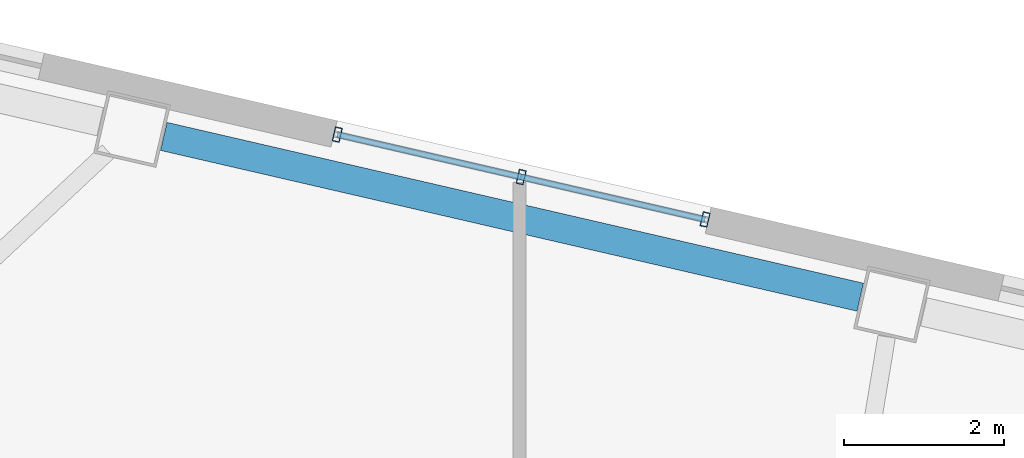
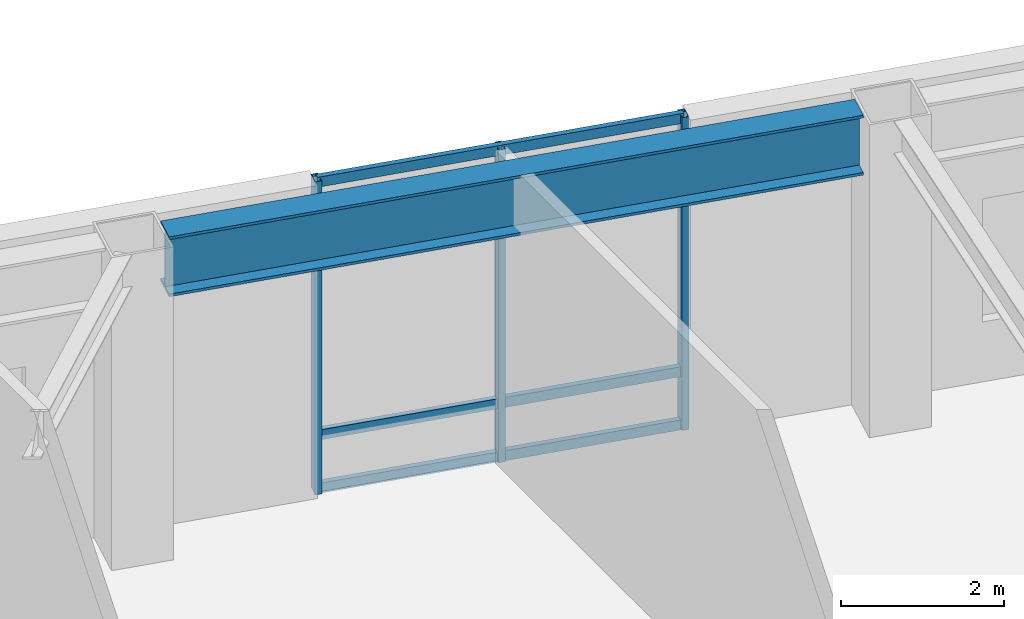
# One storey, part 6 of 21: 6 members, 1 beam, 1 element without a shape of its own.
"""IFC4 building model written with IfcOpenShell, lengths in metres."""

from ifc_helpers import new_model, si_unit, direction, frame, origin, origin_2d, place, context, subcontext, project, spatial, hollow_rectangle, i_section, extrude, material, layer, layer_set, material_profile, profile_set, type_object, element, aggregate, save


model = new_model("IFC4")

# Units and contexts
model_context = context("Model", 3, precision=1e-05, world=origin(), true_north=direction((0.0, 1.0)))
body_context = subcontext(model_context, "Body", "Model", "MODEL_VIEW")
ifc_project = project(units=[si_unit("LENGTHUNIT", "METRE"), si_unit("AREAUNIT", "SQUARE_METRE"), si_unit("VOLUMEUNIT", "CUBIC_METRE"), si_unit("PLANEANGLEUNIT", "RADIAN"), si_unit("MASSUNIT", "GRAM", prefix="KILO")], contexts=[model_context])

# Site, building, storey
site_placement = place(None, origin())
site = spatial("IfcSite", under=ifc_project, at=site_placement, CompositionType="ELEMENT")
building_placement = place(site_placement, origin())
building = spatial("IfcBuilding", under=site, at=building_placement, Name="Tavrogorsk Clinical Tower", CompositionType="ELEMENT")
storey_placement = place(building_placement, frame((0.0, 0.0, 8.39990234375)))
storey = spatial("IfcBuildingStorey", under=building, at=storey_placement, Name="L01", CompositionType="ELEMENT", Elevation=8.39990234375)

# Curtain wall, members
ifc_material_1 = material(Name="Anodised aluminium and triple IGU glazing", Category="aluminium")
ifc_layer = layer(ifc_material_1, 0.179931640625)
ifc_layer_set = layer_set([ifc_layer], Name="Anodised aluminium and triple IGU glazing")
curtain_wall_type = type_object("IfcCurtainWallType", Name="CW2_NorthSlot", PredefinedType="NOTDEFINED", material=ifc_layer_set)
curtain_wall_placement = place(storey_placement, origin())
curtain_wall = element("IfcCurtainWall", 1, at=curtain_wall_placement, inside=storey, type_object=curtain_wall_type, Name="L01 Curtain Wall CW-L01-N-SLOT-1", PredefinedType="NOTDEFINED")
ifc_material_2 = material(Name="Anodised aluminium alloy AW-6060", Category="aluminium")
ifc_material_profile_1 = material_profile(ifc_material_2, hollow_rectangle(XDim=0.090087890625, YDim=0.179931640625, WallThickness=0.00634765625, at=origin_2d()), Name="RHS-180x90x6.3")
ifc_profile_set_1 = profile_set([ifc_material_profile_1], Name="Anodised aluminium alloy AW-6060")
member_type_1 = type_object("IfcMemberType", Name="CwMullion_180x90", PredefinedType="MULLION", material=ifc_profile_set_1)
member_1_placement = place(storey_placement, frame((-3.879638671875, 24.640625, 0.0), z_axis=(0.0, 0.0, 1.0), x_axis=(-0.974370102963, 0.224950888978, 0.0)))
member_1 = element("IfcMember", 2, at=member_1_placement, type_object=member_type_1, Name="CW-L01-N-SLOT-1 Mullion 1", PredefinedType="MULLION", context=body_context, shape_type="SweptSolid", body=[
    extrude(hollow_rectangle(XDim=0.090087890625, YDim=0.179931640625, WallThickness=0.00634765625, at=origin_2d()), origin(), (0.0, 0.0, 1.0), 4.7001953125),
])
member_2_placement = place(storey_placement, frame((-6.17822265625, 25.171142578125, 0.0), z_axis=(0.0, 0.0, 1.0), x_axis=(-0.974370102963, 0.224950888978, 0.0)))
member_2 = element("IfcMember", 3, at=member_2_placement, type_object=member_type_1, Name="CW-L01-N-SLOT-1 Mullion 2", PredefinedType="MULLION", context=body_context, shape_type="SweptSolid", body=[
    extrude(hollow_rectangle(XDim=0.090087890625, YDim=0.179931640625, WallThickness=0.00634765625, at=origin_2d()), origin(), (0.0, 0.0, 1.0), 4.7001953125),
])
member_3_placement = place(storey_placement, frame((-8.476806640625, 25.701904296875, 0.0), z_axis=(0.0, 0.0, 1.0), x_axis=(-0.974370102963, 0.224950888978, 0.0)))
member_3 = element("IfcMember", 4, at=member_3_placement, type_object=member_type_1, Name="CW-L01-N-SLOT-1 Mullion 3", PredefinedType="MULLION", context=body_context, shape_type="SweptSolid", body=[
    extrude(hollow_rectangle(XDim=0.090087890625, YDim=0.179931640625, WallThickness=0.00634765625, at=origin_2d()), origin(), (0.0, 0.0, 1.0), 4.7001953125),
])
ifc_material_3 = material(Name="Anodised aluminium alloy AW-6060", Category="aluminium")
ifc_material_profile_2 = material_profile(ifc_material_3, hollow_rectangle(XDim=0.074951171875, YDim=0.14990234375, WallThickness=0.0048828125, at=origin_2d()), Name="RHS-150x75x5")
ifc_profile_set_2 = profile_set([ifc_material_profile_2], Name="Anodised aluminium alloy AW-6060")
member_type_2 = type_object("IfcMemberType", Name="CwTransom_150x75", PredefinedType="USERDEFINED", material=ifc_profile_set_2)
member_4_placement = place(storey_placement, frame((-3.879638671875, 24.640625, 0.050048828125), z_axis=(-0.974372877948, 0.22493886885, 0.0), x_axis=(-0.22493886885, -0.974372877948, 0.0)))
member_4 = element("IfcMember", 5, at=member_4_placement, type_object=member_type_2, Name="CW-L01-N-SLOT-1 Transom 1", ObjectType="TRANSOM", PredefinedType="USERDEFINED", context=body_context, shape_type="SweptSolid", body=[
    extrude(hollow_rectangle(XDim=0.074951171875, YDim=0.14990234375, WallThickness=0.0048828125, at=origin_2d()), origin(), (0.0, 0.0, 1.0), 4.718017578125),
])
member_5_placement = place(storey_placement, frame((-3.879638671875, 24.640625, 0.85009765625), z_axis=(-0.974372877948, 0.22493886885, 0.0), x_axis=(-0.22493886885, -0.974372877948, 0.0)))
member_5 = element("IfcMember", 6, at=member_5_placement, type_object=member_type_2, Name="CW-L01-N-SLOT-1 Transom 2", ObjectType="TRANSOM", PredefinedType="USERDEFINED", context=body_context, shape_type="SweptSolid", body=[
    extrude(hollow_rectangle(XDim=0.074951171875, YDim=0.14990234375, WallThickness=0.0048828125, at=origin_2d()), origin(), (0.0, 0.0, 1.0), 4.718017578125),
])
member_6_placement = place(storey_placement, frame((-3.879638671875, 24.640625, 4.650146484375), z_axis=(-0.974372877948, 0.22493886885, 0.0), x_axis=(-0.22493886885, -0.974372877948, 0.0)))
member_6 = element("IfcMember", 7, at=member_6_placement, type_object=member_type_2, Name="CW-L01-N-SLOT-1 Transom 3", ObjectType="TRANSOM", PredefinedType="USERDEFINED", context=body_context, shape_type="SweptSolid", body=[
    extrude(hollow_rectangle(XDim=0.074951171875, YDim=0.14990234375, WallThickness=0.0048828125, at=origin_2d()), origin(), (0.0, 0.0, 1.0), 4.718017578125),
])
aggregate(curtain_wall, [member_1, member_2, member_3, member_4, member_5, member_6])

# Beam
ifc_material_4 = material(Name="Structural steel S440", Category="steel")
ifc_material_profile_3 = material_profile(ifc_material_4, i_section(OverallWidth=0.360107421875, OverallDepth=0.89990234375, WebThickness=0.02392578125, FlangeThickness=0.0400390625, at=origin_2d()), Name="DK-900x360x24x40")
ifc_profile_set_3 = profile_set([ifc_material_profile_3], Name="Structural steel S440")
beam_type = type_object("IfcBeamType", Name="TransferGirder_DK900", PredefinedType="USERDEFINED", material=ifc_profile_set_3)
beam_placement = place(storey_placement, frame((-1.941162109375, 23.669677734375, 4.25), z_axis=(-0.974372766602, 0.224939351168, 0.0), x_axis=(-0.224939351168, -0.974372766602, 0.0)))
element("IfcBeam", 8, at=beam_placement, inside=storey, type_object=beam_type, Name="L01 Perimeter Spandrel N5-N6", ObjectType="GIRDER", PredefinedType="USERDEFINED", context=body_context, shape_type="SweptSolid", body=[
    extrude(i_section(OverallWidth=0.360107421875, OverallDepth=0.89990234375, WebThickness=0.02392578125, FlangeThickness=0.0400390625, at=origin_2d()), origin(), (0.0, 0.0, 1.0), 8.9326171875),
])

save(model, "model.ifc")
